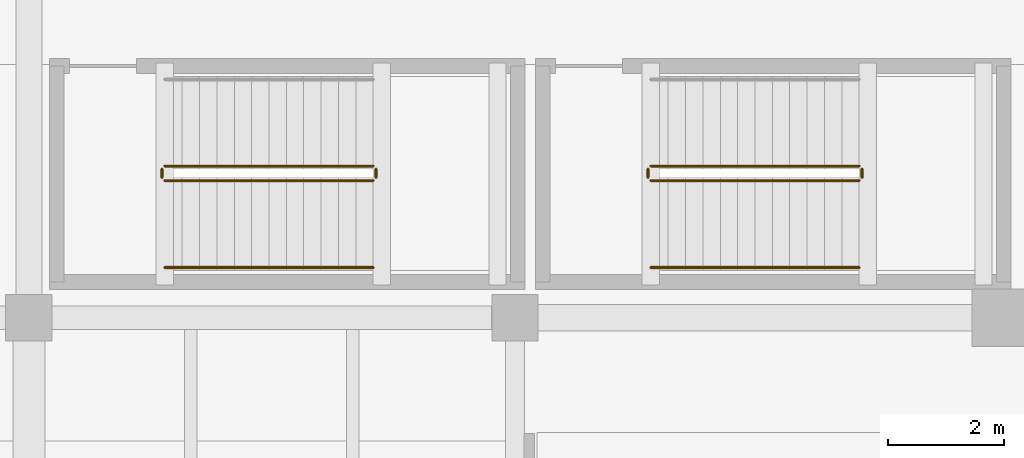
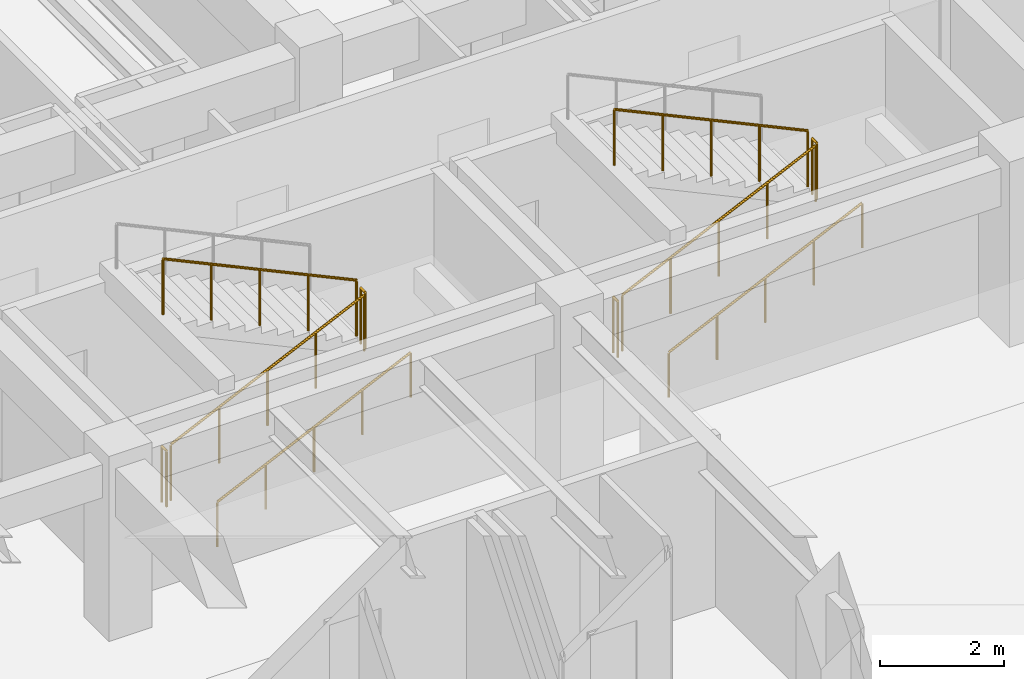
# One storey, part 100 of 118: 10 railings.
"""IFC4 building model written with IfcOpenShell, lengths in metres."""

from ifc_helpers import new_model, si_unit, direction, frame, origin, origin_2d, place, context, subcontext, project, spatial, circle, extrude, material, type_object, element, save


model = new_model("IFC4")

# Units and contexts
model_context = context("Model", 3, precision=1e-05, world=origin(), true_north=direction((0.0, 1.0)))
body_context = subcontext(model_context, "Body", "Model", "MODEL_VIEW")
ifc_project = project(units=[si_unit("LENGTHUNIT", "METRE"), si_unit("AREAUNIT", "SQUARE_METRE"), si_unit("VOLUMEUNIT", "CUBIC_METRE"), si_unit("PLANEANGLEUNIT", "RADIAN"), si_unit("MASSUNIT", "GRAM", prefix="KILO")], contexts=[model_context])

# Site, building, storey
site_placement = place(None, origin())
site = spatial("IfcSite", under=ifc_project, at=site_placement, CompositionType="ELEMENT")
building_placement = place(site_placement, origin())
building = spatial("IfcBuilding", under=site, at=building_placement, Name="Cumbredor Promenade Congress Hotel", CompositionType="ELEMENT")
storey_placement = place(building_placement, frame((0.0, 0.0, 3.919921875)))
storey = spatial("IfcBuildingStorey", under=building, at=storey_placement, Name="L01", CompositionType="ELEMENT", Elevation=3.919921875)

# Railings
ifc_material = material(Name="Brushed stainless steel", Category="steel")
railing_type_1 = type_object("IfcRailingType", Name="Interior Void & Stair Guardrail GR-1100", PredefinedType="GUARDRAIL", material=ifc_material)
railing_1_placement = place(storey_placement, frame((10.75, 103.169921875, 0.14013671875)))
element("IfcRailing", 1, at=railing_1_placement, inside=storey, type_object=railing_type_1, Name="L01 ST-01 stair guard 1", PredefinedType="GUARDRAIL", context=body_context, shape_type="SweptSolid", body=[
    extrude(circle(Radius=0.02392578125, at=origin_2d()), frame((0.0, 0.0, 1.09619140625), z_axis=(0.906194129559, 0.0, 0.422861915468), x_axis=(0.0, 1.0, 0.0)), (0.0, 0.0, 1.0), 3.97265625),
    extrude(circle(Radius=0.02099609375, at=origin_2d()), origin(), (0.0, 0.0, 1.0), 1.072021484375),
    extrude(circle(Radius=0.02099609375, at=origin_2d()), frame((0.89990234375, 0.0, 0.419921875)), (0.0, 0.0, 1.0), 1.072021484375),
    extrude(circle(Radius=0.02099609375, at=origin_2d()), frame((1.800048828125, 0.0, 0.83984375)), (0.0, 0.0, 1.0), 1.072021484375),
    extrude(circle(Radius=0.02099609375, at=origin_2d()), frame((2.7001953125, 0.0, 1.260009765625)), (0.0, 0.0, 1.0), 1.072021484375),
    extrude(circle(Radius=0.02099609375, at=origin_2d()), frame((3.60009765625, 0.0, 1.679931640625)), (0.0, 0.0, 1.0), 1.072021484375),
])
railing_2_placement = place(storey_placement, frame((14.39990234375, 103.219970703125, 1.820068359375)))
element("IfcRailing", 2, at=railing_2_placement, inside=storey, type_object=railing_type_1, Name="L01 ST-01 stair guard 2", PredefinedType="GUARDRAIL", context=body_context, shape_type="SweptSolid", body=[
    extrude(circle(Radius=0.02392578125, at=origin_2d()), frame((0.0, 0.0, 1.09619140625), z_axis=(0.0, 1.0, 0.0), x_axis=(-1.0, 0.0, 0.0)), (0.0, 0.0, 1.0), 0.150146484375),
    extrude(circle(Radius=0.02099609375, at=origin_2d()), origin(), (0.0, 0.0, 1.0), 1.072021484375),
    extrude(circle(Radius=0.02099609375, at=origin_2d()), frame((0.0, 0.150146484375, 0.0)), (0.0, 0.0, 1.0), 1.072021484375),
])
railing_3_placement = place(storey_placement, frame((14.35009765625, 103.419921875, 1.9599609375)))
element("IfcRailing", 3, at=railing_3_placement, inside=storey, type_object=railing_type_1, Name="L01 ST-01 stair guard 3", PredefinedType="GUARDRAIL", context=body_context, shape_type="SweptSolid", body=[
    extrude(circle(Radius=0.02392578125, at=origin_2d()), frame((0.0, 0.0, 1.09619140625), z_axis=(-0.906170580071, 0.0, 0.422912378411), x_axis=(0.0, -1.0, 0.0)), (0.0, 0.0, 1.0), 3.972900390625),
    extrude(circle(Radius=0.02099609375, at=origin_2d()), origin(), (0.0, 0.0, 1.0), 1.072021484375),
    extrude(circle(Radius=0.02099609375, at=origin_2d()), frame((-0.89990234375, 0.0, 0.419921875)), (0.0, 0.0, 1.0), 1.072021484375),
    extrude(circle(Radius=0.02099609375, at=origin_2d()), frame((-1.800048828125, 0.0, 0.840087890625)), (0.0, 0.0, 1.0), 1.072021484375),
    extrude(circle(Radius=0.02099609375, at=origin_2d()), frame((-2.7001953125, 0.0, 1.26025390625)), (0.0, 0.0, 1.0), 1.072021484375),
    extrude(circle(Radius=0.02099609375, at=origin_2d()), frame((-3.60009765625, 0.0, 1.68017578125)), (0.0, 0.0, 1.0), 1.072021484375),
])
railing_4_placement = place(storey_placement, frame((10.699951171875, 103.219970703125, 0.0)))
element("IfcRailing", 4, at=railing_4_placement, inside=storey, type_object=railing_type_1, Name="L01 ST-01 stair guard 4", PredefinedType="GUARDRAIL", context=body_context, shape_type="SweptSolid", body=[
    extrude(circle(Radius=0.02392578125, at=origin_2d()), frame((0.0, 0.0, 1.09619140625), z_axis=(0.0, 1.0, 0.0), x_axis=(-1.0, 0.0, 0.0)), (0.0, 0.0, 1.0), 0.150146484375),
    extrude(circle(Radius=0.02099609375, at=origin_2d()), origin(), (0.0, 0.0, 1.0), 1.072021484375),
    extrude(circle(Radius=0.02099609375, at=origin_2d()), frame((0.0, 0.150146484375, 0.0)), (0.0, 0.0, 1.0), 1.072021484375),
])
railing_5_placement = place(storey_placement, frame((19.14990234375, 103.169921875, 0.14013671875)))
element("IfcRailing", 5, at=railing_5_placement, inside=storey, type_object=railing_type_1, Name="L01 ST-02 stair guard 1", PredefinedType="GUARDRAIL", context=body_context, shape_type="SweptSolid", body=[
    extrude(circle(Radius=0.02392578125, at=origin_2d()), frame((0.0, 0.0, 1.09619140625), z_axis=(0.906194129559, 0.0, 0.422861915468), x_axis=(0.0, 1.0, 0.0)), (0.0, 0.0, 1.0), 3.97265625),
    extrude(circle(Radius=0.02099609375, at=origin_2d()), origin(), (0.0, 0.0, 1.0), 1.072021484375),
    extrude(circle(Radius=0.02099609375, at=origin_2d()), frame((0.89990234375, 0.0, 0.419921875)), (0.0, 0.0, 1.0), 1.072021484375),
    extrude(circle(Radius=0.02099609375, at=origin_2d()), frame((1.800048828125, 0.0, 0.83984375)), (0.0, 0.0, 1.0), 1.072021484375),
    extrude(circle(Radius=0.02099609375, at=origin_2d()), frame((2.7001953125, 0.0, 1.260009765625)), (0.0, 0.0, 1.0), 1.072021484375),
    extrude(circle(Radius=0.02099609375, at=origin_2d()), frame((3.60009765625, 0.0, 1.679931640625)), (0.0, 0.0, 1.0), 1.072021484375),
])
railing_6_placement = place(storey_placement, frame((22.800048828125, 103.219970703125, 1.820068359375)))
element("IfcRailing", 6, at=railing_6_placement, inside=storey, type_object=railing_type_1, Name="L01 ST-02 stair guard 2", PredefinedType="GUARDRAIL", context=body_context, shape_type="SweptSolid", body=[
    extrude(circle(Radius=0.02392578125, at=origin_2d()), frame((0.0, 0.0, 1.09619140625), z_axis=(0.0, 1.0, 0.0), x_axis=(-1.0, 0.0, 0.0)), (0.0, 0.0, 1.0), 0.150146484375),
    extrude(circle(Radius=0.02099609375, at=origin_2d()), origin(), (0.0, 0.0, 1.0), 1.072021484375),
    extrude(circle(Radius=0.02099609375, at=origin_2d()), frame((0.0, 0.150146484375, 0.0)), (0.0, 0.0, 1.0), 1.072021484375),
])
railing_7_placement = place(storey_placement, frame((22.75, 103.419921875, 1.9599609375)))
element("IfcRailing", 7, at=railing_7_placement, inside=storey, type_object=railing_type_1, Name="L01 ST-02 stair guard 3", PredefinedType="GUARDRAIL", context=body_context, shape_type="SweptSolid", body=[
    extrude(circle(Radius=0.02392578125, at=origin_2d()), frame((0.0, 0.0, 1.09619140625), z_axis=(-0.906170580071, 0.0, 0.422912378411), x_axis=(0.0, -1.0, 0.0)), (0.0, 0.0, 1.0), 3.972900390625),
    extrude(circle(Radius=0.02099609375, at=origin_2d()), origin(), (0.0, 0.0, 1.0), 1.072021484375),
    extrude(circle(Radius=0.02099609375, at=origin_2d()), frame((-0.89990234375, 0.0, 0.419921875)), (0.0, 0.0, 1.0), 1.072021484375),
    extrude(circle(Radius=0.02099609375, at=origin_2d()), frame((-1.800048828125, 0.0, 0.840087890625)), (0.0, 0.0, 1.0), 1.072021484375),
    extrude(circle(Radius=0.02099609375, at=origin_2d()), frame((-2.7001953125, 0.0, 1.26025390625)), (0.0, 0.0, 1.0), 1.072021484375),
    extrude(circle(Radius=0.02099609375, at=origin_2d()), frame((-3.60009765625, 0.0, 1.68017578125)), (0.0, 0.0, 1.0), 1.072021484375),
])
railing_8_placement = place(storey_placement, frame((19.10009765625, 103.219970703125, 0.0)))
element("IfcRailing", 8, at=railing_8_placement, inside=storey, type_object=railing_type_1, Name="L01 ST-02 stair guard 4", PredefinedType="GUARDRAIL", context=body_context, shape_type="SweptSolid", body=[
    extrude(circle(Radius=0.02392578125, at=origin_2d()), frame((0.0, 0.0, 1.09619140625), z_axis=(0.0, 1.0, 0.0), x_axis=(-1.0, 0.0, 0.0)), (0.0, 0.0, 1.0), 0.150146484375),
    extrude(circle(Radius=0.02099609375, at=origin_2d()), origin(), (0.0, 0.0, 1.0), 1.072021484375),
    extrude(circle(Radius=0.02099609375, at=origin_2d()), frame((0.0, 0.150146484375, 0.0)), (0.0, 0.0, 1.0), 1.072021484375),
])
railing_type_2 = type_object("IfcRailingType", Name="Stair Pitch Handrail HR-900", PredefinedType="HANDRAIL", material=ifc_material)
for number, where, name in (
    (9, (10.75, 101.669921875, 0.14013671875), "L01 ST-01 stair handrail 1"),
    (10, (19.14990234375, 101.669921875, 0.14013671875), "L01 ST-02 stair handrail 1"),
):
    element("IfcRailing", number, at=place(storey_placement, frame(where)), inside=storey, type_object=railing_type_2, Name=name, PredefinedType="HANDRAIL", context=body_context, shape_type="SweptSolid", body=[
        extrude(circle(Radius=0.02392578125, at=origin_2d()), frame((0.0, 0.0, 0.8759765625), z_axis=(0.906194129559, 0.0, 0.422861915468), x_axis=(0.0, 1.0, 0.0)), (0.0, 0.0, 1.0), 3.97265625),
        extrude(circle(Radius=0.02099609375, at=origin_2d()), origin(), (0.0, 0.0, 1.0), 0.851806640625),
        extrude(circle(Radius=0.02099609375, at=origin_2d()), frame((0.89990234375, 0.0, 0.419921875)), (0.0, 0.0, 1.0), 0.851806640625),
        extrude(circle(Radius=0.02099609375, at=origin_2d()), frame((1.800048828125, 0.0, 0.83984375)), (0.0, 0.0, 1.0), 0.851806640625),
        extrude(circle(Radius=0.02099609375, at=origin_2d()), frame((2.7001953125, 0.0, 1.260009765625)), (0.0, 0.0, 1.0), 0.851806640625),
        extrude(circle(Radius=0.02099609375, at=origin_2d()), frame((3.60009765625, 0.0, 1.679931640625)), (0.0, 0.0, 1.0), 0.851806640625),
    ])

save(model, "model.ifc")
